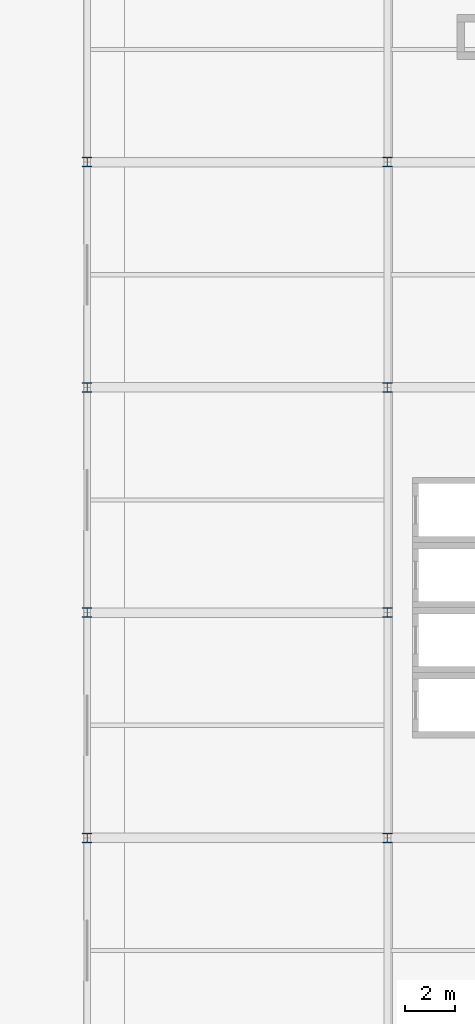
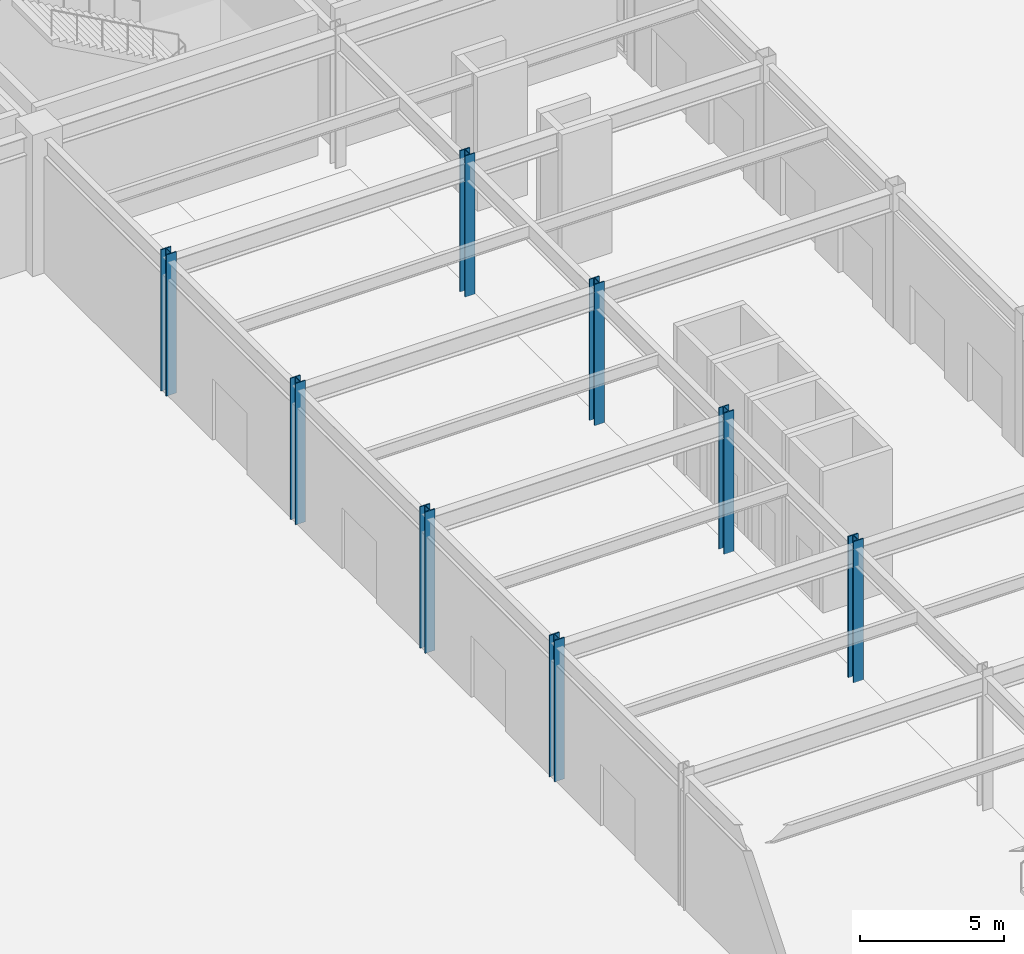
# One storey, part 5 of 44: 8 columns.
"""IFC4 building model written with IfcOpenShell, lengths in metres."""

import ifcopenshell
import ifcopenshell.guid

model = None  # the IFC model being written
_history = None  # IfcOwnerHistory: only IFC2X3 demands one
_inside = {}  # id of a spatial element -> (the spatial element, [elements in it])
_under = {}  # id of a project, library or spatial element -> (it, [spatial elements below it])
_declared = {}  # id of a project -> (the project, [libraries it declares])
_typed = {}  # id of a type object -> (the type object, [elements of that type])
_made_of = {}  # id of a material, layer set ... -> (it, [elements and type objects made of it])


def new_model(schema):
    """Start an empty IFC model of exactly this schema.

    Asked for "IFC4X3", IfcOpenShell would pick the latest addendum, in which some entities
    have other attributes; the version numbers below select the first issue.
    IFC2X3 requires an IfcOwnerHistory on every rooted entity: one is made here for all.
    """
    global model, _history
    if schema == "IFC4X3":
        model = ifcopenshell.file(schema_version=(4, 3, 0, 0))
    else:
        model = ifcopenshell.file(schema=schema)
    _inside.clear()
    _under.clear()
    _declared.clear()
    _typed.clear()
    _made_of.clear()
    _history = None
    if model.schema == "IFC2X3":
        org = make("IfcOrganization", Name="unknown")
        user = make(
            "IfcPersonAndOrganization",
            ThePerson=make("IfcPerson", FamilyName="unknown"),
            TheOrganization=org,
        )
        app = make(
            "IfcApplication",
            ApplicationDeveloper=org,
            Version="unknown",
            ApplicationFullName="unknown",
            ApplicationIdentifier="unknown",
        )
        _history = make(
            "IfcOwnerHistory",
            OwningUser=user,
            OwningApplication=app,
            ChangeAction="ADDED",
            CreationDate=0,
        )
    return model


def make(cls, **values):
    """One entity of the class cls with the attributes given. An attribute that is None is left unset."""
    return model.create_entity(
        cls, **{name: value for name, value in values.items() if value is not None}
    )


def rooted(cls, **values):
    """An entity with a GlobalId (a new one), such as an element, a storey or a relation."""
    return make(cls, GlobalId=ifcopenshell.guid.new(), OwnerHistory=_history, **values)


def si_unit(unit_type, name, prefix=None):
    """IfcSIUnit, for example si_unit("LENGTHUNIT", "METRE", prefix="MILLI")."""
    return make("IfcSIUnit", UnitType=unit_type, Prefix=prefix, Name=name)


def assignment(units):
    """IfcUnitAssignment: the units of a project."""
    return None if units is None else make("IfcUnitAssignment", Units=units)


def point(xyz):
    """IfcCartesianPoint."""
    return None if xyz is None else make("IfcCartesianPoint", Coordinates=xyz)


def direction(xyz):
    """IfcDirection."""
    return None if xyz is None else make("IfcDirection", DirectionRatios=xyz)


def frame(location, z_axis=None, x_axis=None):
    """IfcAxis2Placement3D, a coordinate frame: its origin and axes. An axis left out is left unset."""
    return make(
        "IfcAxis2Placement3D",
        Location=point(location),
        Axis=direction(z_axis),
        RefDirection=direction(x_axis),
    )


def frame_2d(location, x_axis=None):
    """IfcAxis2Placement2D, a coordinate frame in the plane: its origin and x axis."""
    return make(
        "IfcAxis2Placement2D", Location=point(location), RefDirection=direction(x_axis)
    )


def origin():
    """The frame at (0, 0, 0) with its axes left unset."""
    return frame((0.0, 0.0, 0.0))


def origin_2d():
    """The frame at (0, 0) in the plane with its x axis left unset."""
    return frame_2d((0.0, 0.0))


def place(relative_to, where):
    """IfcLocalPlacement: puts the frame where relative to a parent placement (None: the world)."""
    return make(
        "IfcLocalPlacement", PlacementRelTo=relative_to, RelativePlacement=where
    )


def context(
    kind, dimensions, precision=None, world=None, true_north=None, identifier=None
):
    """IfcGeometricRepresentationContext, for example the 3D "Model" context."""
    return make(
        "IfcGeometricRepresentationContext",
        ContextIdentifier=identifier,
        ContextType=kind,
        CoordinateSpaceDimension=dimensions,
        Precision=precision,
        WorldCoordinateSystem=world,
        TrueNorth=true_north,
    )


def subcontext(parent, identifier, kind, view, scale=None):
    """IfcGeometricRepresentationSubContext, for example "Body" below "Model"."""
    return make(
        "IfcGeometricRepresentationSubContext",
        ContextIdentifier=identifier,
        ContextType=kind,
        ParentContext=parent,
        TargetScale=scale,
        TargetView=view,
    )


def project(units=None, contexts=None):
    """IfcProject with its units and contexts."""
    return rooted(
        "IfcProject",
        Name="project",
        RepresentationContexts=contexts,
        UnitsInContext=assignment(units),
    )


def spatial(cls, under=None, at=None, **own):
    """A site, building, storey or space (cls), placed at a placement, below another one or the project."""
    s = rooted(cls, ObjectPlacement=at, **own)
    if under is not None:
        _under.setdefault(under.id(), (under, []))[1].append(s)
    return s


def profile(cls, at=None, kind="AREA", **sizes):
    """A parametric profile (cls). Its sizes go by their IFC names, for example OverallWidth=200.0."""
    return make(cls, ProfileType=kind, Position=at, **sizes)


def i_section(**sizes):
    """IfcIShapeProfileDef."""
    return profile("IfcIShapeProfileDef", **sizes)


def extrude(swept, where, along, depth):
    """IfcExtrudedAreaSolid: the profile swept, set in the frame where, extruded along a direction by depth."""
    return make(
        "IfcExtrudedAreaSolid",
        SweptArea=swept,
        Position=where,
        ExtrudedDirection=direction(along),
        Depth=depth,
    )


def shape(context_of_items, identifier, shape_type, items):
    """IfcShapeRepresentation: the items that make up one representation, for example the "Body"."""
    return make(
        "IfcShapeRepresentation",
        ContextOfItems=context_of_items,
        RepresentationIdentifier=identifier,
        RepresentationType=shape_type,
        Items=items,
    )


def material(Name=None, Category=None):
    """IfcMaterial."""
    return make("IfcMaterial", Name=Name, Category=Category)


def material_profile(
    of_material, cross_section, Name=None, Category=None, Priority=None
):
    """IfcMaterialProfile: a cross section and its material."""
    return make(
        "IfcMaterialProfile",
        Name=Name,
        Material=of_material,
        Profile=cross_section,
        Priority=Priority,
        Category=Category,
    )


def profile_set(profiles, Name=None, composite=None):
    """IfcMaterialProfileSet."""
    return make(
        "IfcMaterialProfileSet",
        Name=Name,
        MaterialProfiles=profiles,
        CompositeProfile=composite,
    )


def made_of(thing, what):
    """Note that an element or type object is made of a material, layer set ...; save() writes the relation."""
    if what is not None:
        _made_of.setdefault(what.id(), (what, []))[1].append(thing)
    return thing


def type_object(cls, material=None, **own):
    """A type object (cls), such as IfcWallType, which elements share."""
    return made_of(rooted(cls, **own), material)


def element(
    cls,
    number,
    at=None,
    inside=None,
    cuts=None,
    type_object=None,
    material=None,
    context=None,
    identifier="Body",
    shape_type=None,
    held_by="IfcProductDefinitionShape",
    body=None,
    shapes=None,
    **own,
):
    """One element of the class cls, such as IfcWall. Its Tag is "e" and its number.

    at: its placement. inside: the storey or other place that contains it. cuts: it is an
    opening in that element (IfcRelVoidsElement). A single representation is given by context,
    identifier, shape_type and body (its items); several are given by shapes. held_by: the class
    of the entity that holds the representations. save() writes the other relations.
    """
    e = rooted(cls, Tag="e%d" % number, ObjectPlacement=at, **own)
    if body is not None:
        shapes = [shape(context, identifier, shape_type, body)]
    if shapes is not None:
        e.Representation = make(held_by, Representations=shapes)
    if inside is not None:
        _inside.setdefault(inside.id(), (inside, []))[1].append(e)
    if cuts is not None:
        rooted(
            "IfcRelVoidsElement", RelatingBuildingElement=cuts, RelatedOpeningElement=e
        )
    if type_object is not None:
        _typed.setdefault(type_object.id(), (type_object, []))[1].append(e)
    return made_of(e, material)


def aggregate(whole, parts):
    """IfcRelAggregates: a whole, such as a stair, and the parts it consists of."""
    return rooted("IfcRelAggregates", RelatingObject=whole, RelatedObjects=parts)


def save(model, path):
    """Write the relations noted so far, then the file.

    IfcRelAggregates (storeys below a building ...), IfcRelContainedInSpatialStructure (elements
    in a storey), IfcRelDefinesByType, IfcRelAssociatesMaterial and IfcRelDeclares: one each for
    every whole, place, type object, material and project.
    """
    for whole, parts in _under.values():
        aggregate(whole, parts)
    for where, things in _inside.values():
        rooted(
            "IfcRelContainedInSpatialStructure",
            RelatedElements=things,
            RelatingStructure=where,
        )
    for kind, things in _typed.values():
        rooted("IfcRelDefinesByType", RelatedObjects=things, RelatingType=kind)
    for what, things in _made_of.values():
        rooted("IfcRelAssociatesMaterial", RelatedObjects=things, RelatingMaterial=what)
    for by, libraries in _declared.values():
        rooted("IfcRelDeclares", RelatingContext=by, RelatedDefinitions=libraries)
    model.write(path)


model = new_model("IFC4")

# Units and contexts
model_context = context("Model", 3, precision=1e-05, world=origin(), true_north=direction((0.0, 1.0)))
body_context = subcontext(model_context, "Body", "Model", "MODEL_VIEW")
ifc_project = project(units=[si_unit("LENGTHUNIT", "METRE"), si_unit("AREAUNIT", "SQUARE_METRE"), si_unit("VOLUMEUNIT", "CUBIC_METRE"), si_unit("PLANEANGLEUNIT", "RADIAN"), si_unit("MASSUNIT", "GRAM", prefix="KILO")], contexts=[model_context])

# Site, building, storey
site_placement = place(None, origin())
site = spatial("IfcSite", under=ifc_project, at=site_placement, CompositionType="ELEMENT")
building_placement = place(site_placement, origin())
building = spatial("IfcBuilding", under=site, at=building_placement, Name="Kaldorvane Square Convention Centre", CompositionType="ELEMENT")
storey_placement = place(building_placement, origin())
storey = spatial("IfcBuildingStorey", under=building, at=storey_placement, Name="L00", CompositionType="ELEMENT", Elevation=0.0)

# Columns
ifc_material = material(Name="Steel ASTM A992 Gr. 50", Category="steel")
ifc_material_profile = material_profile(ifc_material, i_section(OverallWidth=0.40130615234375, OverallDepth=0.3993072509765625, WebThickness=0.02490234375, FlangeThickness=0.0395965576171875, FilletRadius=0.0305023193359375, at=origin_2d()), Name="W14X211")
ifc_profile_set = profile_set([ifc_material_profile], Name="Steel ASTM A992 Gr. 50")
column_type = type_object("IfcColumnType", Name="COL-STL-211", PredefinedType="COLUMN", material=ifc_profile_set)
for number, where, z_axis, x_axis, name in (
    (1, (114.0, 36.0, 0.0), (0.0, 0.0, 1.0), (1.0, 0.0, 0.0), "Column SC-08 (L00)"),
    (2, (114.0, 45.0, 0.0), (0.0, 0.0, 1.0), (1.0, 0.0, 0.0), "Column SC-08 (L00)"),
    (3, (114.0, 54.0, 0.0), (0.0, 0.0, 1.0), (1.0, 0.0, 0.0), "Column SC-08 (L00)"),
    (4, (114.0, 63.0, 0.0), (0.0, 0.0, 1.0), (1.0, 0.0, 0.0), "Column SC-08 (L00)"),
    (5, (126.0, 36.0, 0.0), (0.0, 0.0, 1.0), (1.0, 0.0, 0.0), "Column SC-08 (L00)"),
    (6, (126.0, 45.0, 0.0), (0.0, 0.0, 1.0), (1.0, 0.0, 0.0), "Column SC-08 (L00)"),
    (7, (126.0, 54.0, 0.0), (0.0, 0.0, 1.0), (1.0, 0.0, 0.0), "Column SC-08 (L00)"),
    (8, (126.0, 63.0, 0.0), (0.0, 0.0, 1.0), (1.0, 0.0, 0.0), "Column SC-08 (L00)"),
):
    element("IfcColumn", number, at=place(storey_placement, frame(where, z_axis=z_axis, x_axis=x_axis)), inside=storey, type_object=column_type, Name=name, PredefinedType="COLUMN", context=body_context, shape_type="SweptSolid", body=[
        extrude(i_section(OverallWidth=0.40130615234375, OverallDepth=0.3993072509765625, WebThickness=0.02490234375, FlangeThickness=0.0395965576171875, FilletRadius=0.0305023193359375, at=origin_2d()), origin(), (0.0, 0.0, 1.0), 6.0),
    ])

save(model, "model.ifc")
